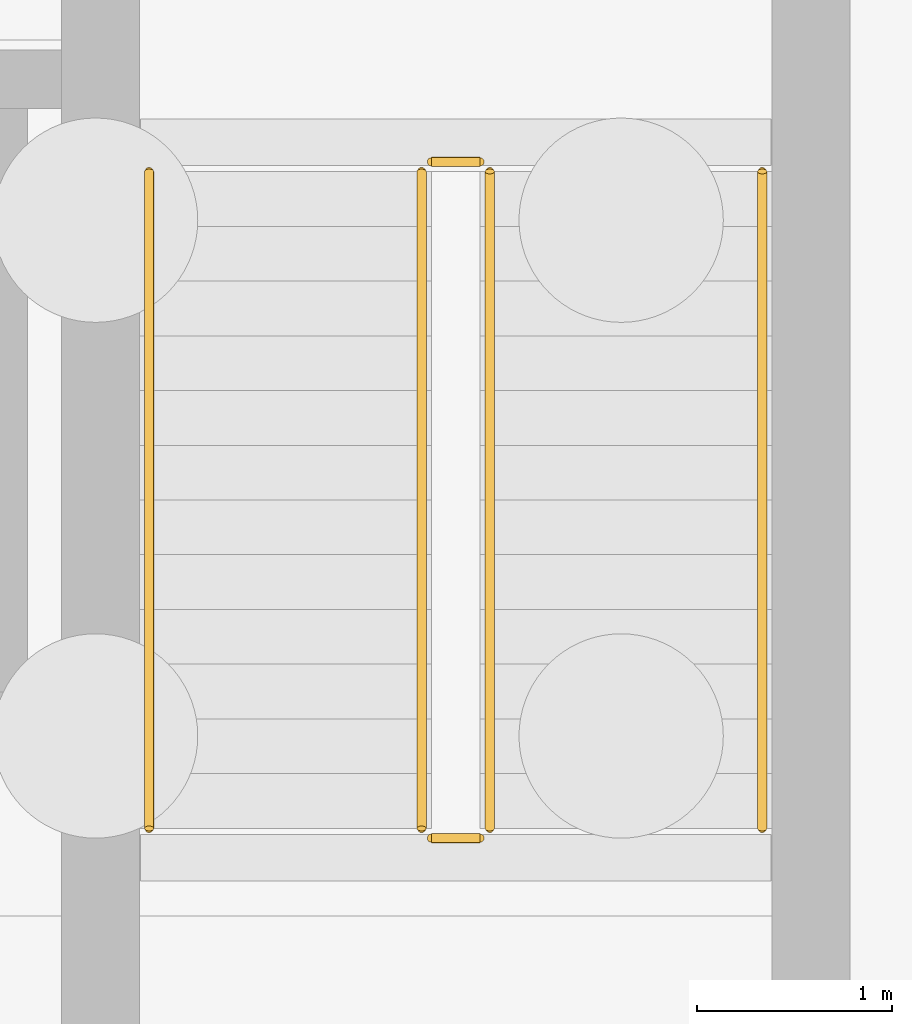
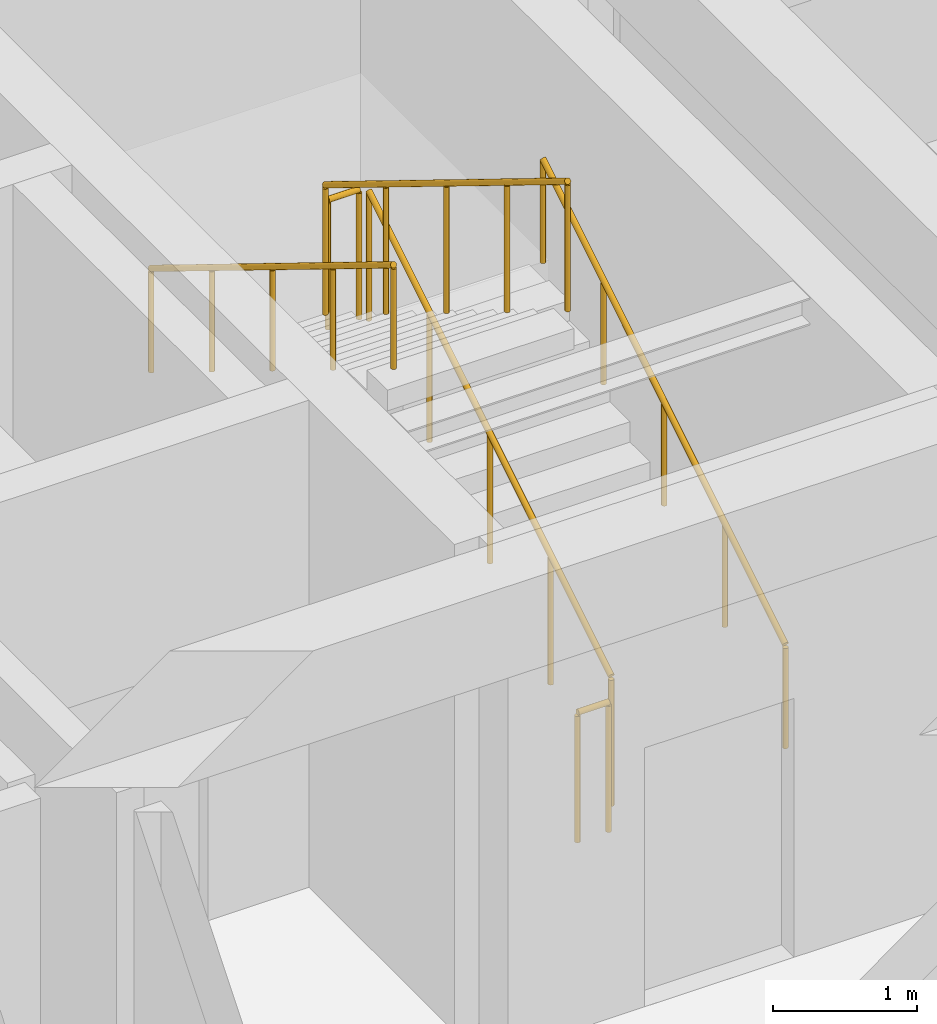
# One storey, part 7 of 8: 6 railings.
"""IFC4 building model written with IfcOpenShell, lengths in metres."""

from ifc_helpers import new_model, si_unit, direction, frame, origin, origin_2d, place, context, subcontext, project, spatial, circle, extrude, material, type_object, element, save


model = new_model("IFC4")

# Units and contexts
model_context = context("Model", 3, precision=1e-05, world=origin(), true_north=direction((0.0, 1.0)))
body_context = subcontext(model_context, "Body", "Model", "MODEL_VIEW")
ifc_project = project(units=[si_unit("LENGTHUNIT", "METRE"), si_unit("AREAUNIT", "SQUARE_METRE"), si_unit("VOLUMEUNIT", "CUBIC_METRE"), si_unit("PLANEANGLEUNIT", "RADIAN"), si_unit("MASSUNIT", "GRAM", prefix="KILO")], contexts=[model_context])

# Site, building, storey
site_placement = place(None, origin())
site = spatial("IfcSite", under=ifc_project, at=site_placement, CompositionType="ELEMENT")
building_placement = place(site_placement, origin())
building = spatial("IfcBuilding", under=site, at=building_placement, Name="Bempovik Park Faculty of Sciences", CompositionType="ELEMENT")
storey_placement = place(building_placement, frame((0.0, 0.0, -4.5)))
storey = spatial("IfcBuildingStorey", under=building, at=storey_placement, Name="B1", CompositionType="ELEMENT", Elevation=-4.5)

# Railings
ifc_material = material(Name="Anodised architectural bronze")
railing_type_1 = type_object("IfcRailingType", Name="GR-01 Guardrail 1120mm", PredefinedType="GUARDRAIL", material=ifc_material)
railing_1_placement = place(storey_placement, frame((105.175048828125, 113.0, 0.173095703125)))
element("IfcRailing", 1, at=railing_1_placement, inside=storey, type_object=railing_type_1, Name="B1 ST-2 Stair Guard 1", PredefinedType="GUARDRAIL", context=body_context, shape_type="SweptSolid", body=[
    extrude(circle(Radius=0.02392578125, at=origin_2d()), frame((0.0, 0.0, 1.09619140625), z_axis=(0.0, 0.851660431972, 0.524093988338), x_axis=(-1.0, 0.0, 0.0)), (0.0, 0.0, 1.0), 3.962890625),
    extrude(circle(Radius=0.02099609375, at=origin_2d()), origin(), (0.0, 0.0, 1.0), 1.072021484375),
    extrude(circle(Radius=0.02099609375, at=origin_2d()), frame((0.0, 0.84375, 0.519287109375)), (0.0, 0.0, 1.0), 1.072021484375),
    extrude(circle(Radius=0.02099609375, at=origin_2d()), frame((0.0, 1.6875, 1.03857421875)), (0.0, 0.0, 1.0), 1.072021484375),
    extrude(circle(Radius=0.02099609375, at=origin_2d()), frame((0.0, 2.53125, 1.5576171875)), (0.0, 0.0, 1.0), 1.072021484375),
    extrude(circle(Radius=0.02099609375, at=origin_2d()), frame((0.0, 3.375, 2.076904296875)), (0.0, 0.0, 1.0), 1.072021484375),
])
railing_2_placement = place(storey_placement, frame((105.125, 116.425048828125, 2.25)))
element("IfcRailing", 2, at=railing_2_placement, inside=storey, type_object=railing_type_1, Name="B1 ST-2 Stair Guard 2", PredefinedType="GUARDRAIL", context=body_context, shape_type="SweptSolid", body=[
    extrude(circle(Radius=0.02392578125, at=origin_2d()), frame((0.0, 0.0, 1.09619140625), z_axis=(-1.0, 0.0, 0.0), x_axis=(0.0, -1.0, 0.0)), (0.0, 0.0, 1.0), 0.25),
    extrude(circle(Radius=0.02099609375, at=origin_2d()), origin(), (0.0, 0.0, 1.0), 1.072021484375),
    extrude(circle(Radius=0.02099609375, at=origin_2d()), frame((-0.25, 0.0, 0.0)), (0.0, 0.0, 1.0), 1.072021484375),
])
railing_3_placement = place(storey_placement, frame((104.824951171875, 116.375, 2.423095703125)))
element("IfcRailing", 3, at=railing_3_placement, inside=storey, type_object=railing_type_1, Name="B1 ST-2 Stair Guard 3", PredefinedType="GUARDRAIL", context=body_context, shape_type="SweptSolid", body=[
    extrude(circle(Radius=0.02392578125, at=origin_2d()), frame((0.0, 0.0, 1.09619140625), z_axis=(0.0, -0.851660431972, 0.524093988338), x_axis=(1.0, 0.0, 0.0)), (0.0, 0.0, 1.0), 3.962890625),
    extrude(circle(Radius=0.02099609375, at=origin_2d()), origin(), (0.0, 0.0, 1.0), 1.072021484375),
    extrude(circle(Radius=0.02099609375, at=origin_2d()), frame((0.0, -0.84375, 0.519287109375)), (0.0, 0.0, 1.0), 1.072021484375),
    extrude(circle(Radius=0.02099609375, at=origin_2d()), frame((0.0, -1.6875, 1.03857421875)), (0.0, 0.0, 1.0), 1.072021484375),
    extrude(circle(Radius=0.02099609375, at=origin_2d()), frame((0.0, -2.53125, 1.5576171875)), (0.0, 0.0, 1.0), 1.072021484375),
    extrude(circle(Radius=0.02099609375, at=origin_2d()), frame((0.0, -3.375, 2.076904296875)), (0.0, 0.0, 1.0), 1.072021484375),
])
railing_4_placement = place(storey_placement, frame((105.125, 112.949951171875, 0.0)))
element("IfcRailing", 4, at=railing_4_placement, inside=storey, type_object=railing_type_1, Name="B1 ST-2 Stair Guard 4", PredefinedType="GUARDRAIL", context=body_context, shape_type="SweptSolid", body=[
    extrude(circle(Radius=0.02392578125, at=origin_2d()), frame((0.0, 0.0, 1.09619140625), z_axis=(-1.0, 0.0, 0.0), x_axis=(0.0, -1.0, 0.0)), (0.0, 0.0, 1.0), 0.25),
    extrude(circle(Radius=0.02099609375, at=origin_2d()), origin(), (0.0, 0.0, 1.0), 1.072021484375),
    extrude(circle(Radius=0.02099609375, at=origin_2d()), frame((-0.25, 0.0, 0.0)), (0.0, 0.0, 1.0), 1.072021484375),
])
railing_type_2 = type_object("IfcRailingType", Name="HR-01 Wall Handrail 900mm", PredefinedType="HANDRAIL", material=ifc_material)
railing_5_placement = place(storey_placement, frame((106.574951171875, 113.0, 0.173095703125)))
element("IfcRailing", 5, at=railing_5_placement, inside=storey, type_object=railing_type_2, Name="B1 ST-2 Stair Handrail 1", PredefinedType="HANDRAIL", context=body_context, shape_type="SweptSolid", body=[
    extrude(circle(Radius=0.02392578125, at=origin_2d()), frame((0.0, 0.0, 0.8759765625), z_axis=(0.0, 0.851660431972, 0.524093988338), x_axis=(-1.0, 0.0, 0.0)), (0.0, 0.0, 1.0), 3.962890625),
    extrude(circle(Radius=0.02099609375, at=origin_2d()), origin(), (0.0, 0.0, 1.0), 0.851806640625),
    extrude(circle(Radius=0.02099609375, at=origin_2d()), frame((0.0, 0.84375, 0.519287109375)), (0.0, 0.0, 1.0), 0.851806640625),
    extrude(circle(Radius=0.02099609375, at=origin_2d()), frame((0.0, 1.6875, 1.03857421875)), (0.0, 0.0, 1.0), 0.851806640625),
    extrude(circle(Radius=0.02099609375, at=origin_2d()), frame((0.0, 2.53125, 1.5576171875)), (0.0, 0.0, 1.0), 0.851806640625),
    extrude(circle(Radius=0.02099609375, at=origin_2d()), frame((0.0, 3.375, 2.076904296875)), (0.0, 0.0, 1.0), 0.851806640625),
])
railing_6_placement = place(storey_placement, frame((103.425048828125, 116.375, 2.423095703125)))
element("IfcRailing", 6, at=railing_6_placement, inside=storey, type_object=railing_type_2, Name="B1 ST-2 Stair Handrail 2", PredefinedType="HANDRAIL", context=body_context, shape_type="SweptSolid", body=[
    extrude(circle(Radius=0.02392578125, at=origin_2d()), frame((0.0, 0.0, 0.8759765625), z_axis=(0.0, -0.851660431972, 0.524093988338), x_axis=(1.0, 0.0, 0.0)), (0.0, 0.0, 1.0), 3.962890625),
    extrude(circle(Radius=0.02099609375, at=origin_2d()), origin(), (0.0, 0.0, 1.0), 0.851806640625),
    extrude(circle(Radius=0.02099609375, at=origin_2d()), frame((0.0, -0.84375, 0.519287109375)), (0.0, 0.0, 1.0), 0.851806640625),
    extrude(circle(Radius=0.02099609375, at=origin_2d()), frame((0.0, -1.6875, 1.03857421875)), (0.0, 0.0, 1.0), 0.851806640625),
    extrude(circle(Radius=0.02099609375, at=origin_2d()), frame((0.0, -2.53125, 1.5576171875)), (0.0, 0.0, 1.0), 0.851806640625),
    extrude(circle(Radius=0.02099609375, at=origin_2d()), frame((0.0, -3.375, 2.076904296875)), (0.0, 0.0, 1.0), 0.851806640625),
])

save(model, "model.ifc")
